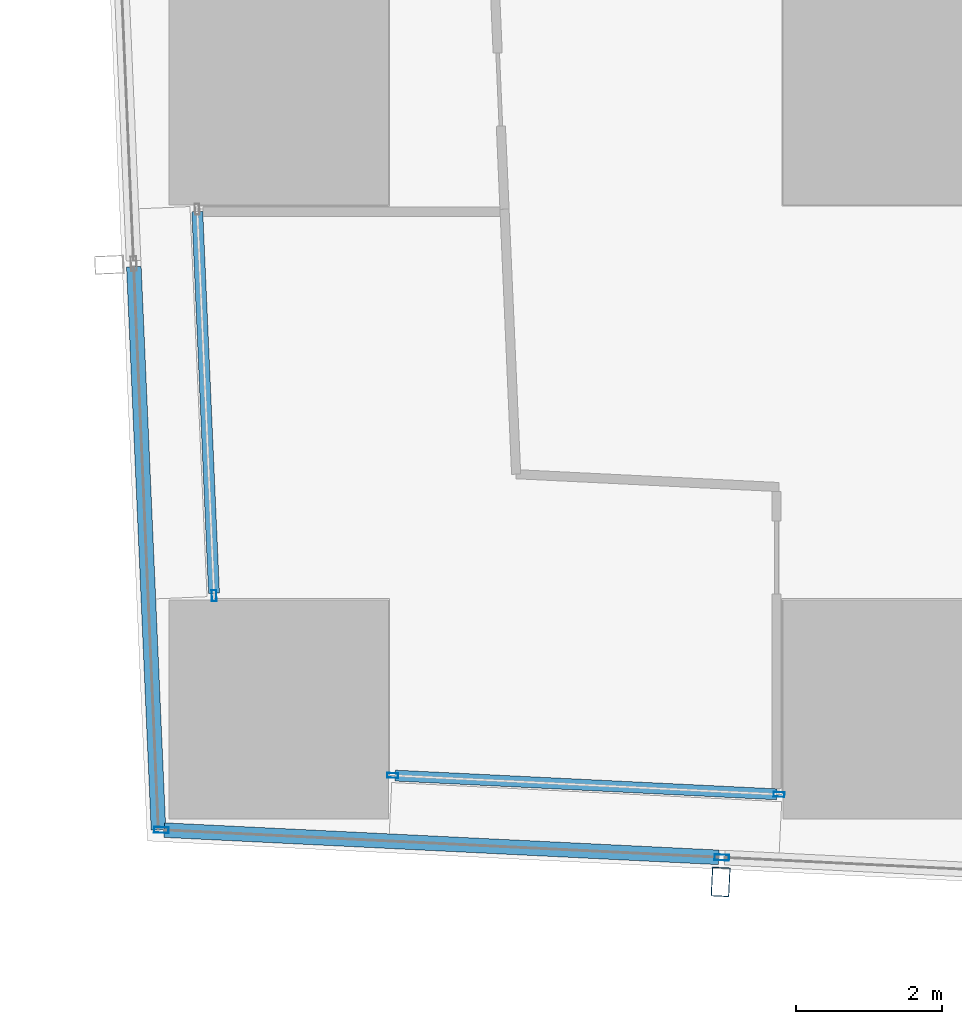
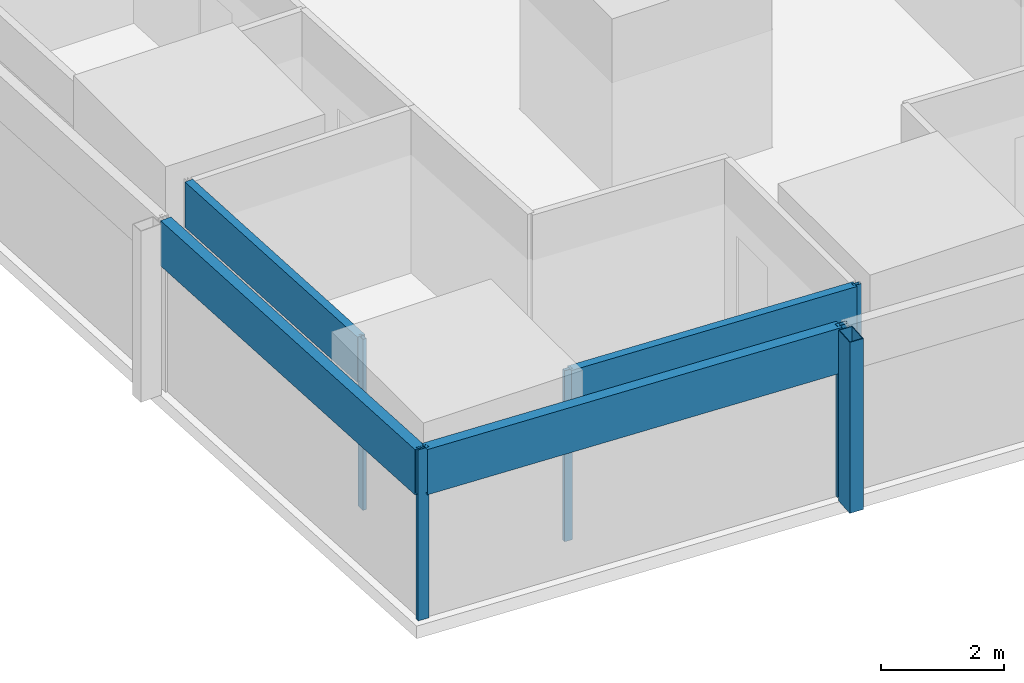
# One storey, part 2 of 44: 10 members, 4 elements without a shape of their own.
"""IFC4 building model written with IfcOpenShell, lengths in metres."""

from ifc_helpers import new_model, si_unit, direction, frame, origin, origin_2d, place, context, subcontext, project, spatial, hollow_rectangle, extrude, material, material_profile, profile_set, type_object, element, aggregate, save


model = new_model("IFC4")

# Units and contexts
model_context = context("Model", 3, precision=1e-05, world=origin(), true_north=direction((0.0, 1.0)))
body_context = subcontext(model_context, "Body", "Model", "MODEL_VIEW")
ifc_project = project(units=[si_unit("LENGTHUNIT", "METRE"), si_unit("AREAUNIT", "SQUARE_METRE"), si_unit("VOLUMEUNIT", "CUBIC_METRE"), si_unit("PLANEANGLEUNIT", "RADIAN"), si_unit("MASSUNIT", "GRAM", prefix="KILO")], contexts=[model_context])

# Site, building, storey
site_placement = place(None, origin())
site = spatial("IfcSite", under=ifc_project, at=site_placement, CompositionType="ELEMENT")
building_placement = place(site_placement, origin())
building = spatial("IfcBuilding", under=site, at=building_placement, Name="Rekha Terrace Tower", CompositionType="ELEMENT")
storey_placement = place(building_placement, frame((0.0, 0.0, 81.64990234375)))
storey = spatial("IfcBuildingStorey", under=building, at=storey_placement, Name="L20", CompositionType="ELEMENT", Elevation=81.64990234375)

# Curtain wall, member
ifc_material_1 = material(Name="Aluminium framing", Category="aluminium")
curtain_wall_type_1 = type_object("IfcCurtainWallType", Name="CW2 double skin outer glazing", PredefinedType="USERDEFINED", material=ifc_material_1)
curtain_wall_1_placement = place(storey_placement, origin())
curtain_wall_1 = element("IfcCurtainWall", 1, at=curtain_wall_1_placement, inside=storey, type_object=curtain_wall_type_1, Name="CW2 double skin outer glazing", ObjectType="DOUBLE SKIN OUTER GLAZING", PredefinedType="USERDEFINED")
ifc_material_2 = material(Name="Steel S355 with fluorocarbon finish", Category="steel")
ifc_material_profile_1 = material_profile(ifc_material_2, hollow_rectangle(XDim=0.25, YDim=0.39990234375, WallThickness=0.012451171875, at=origin_2d()), Name="RHS400x250x12.5")
ifc_profile_set_1 = profile_set([ifc_material_profile_1], Name="Steel S355 with fluorocarbon finish")
member_type_1 = type_object("IfcMemberType", Name="BL1 facade blade RHS 400 x 250", PredefinedType="USERDEFINED", material=ifc_profile_set_1)
member_1_placement = place(storey_placement, frame((14.443603515625, 6.03955078125, 0.0), z_axis=(0.0, 0.0, 1.0), x_axis=(0.998796226835, -0.049051985279, 0.0)))
member_1 = element("IfcMember", 2, at=member_1_placement, type_object=member_type_1, Name="Facade blade", ObjectType="FACADE BLADE", PredefinedType="USERDEFINED", context=body_context, shape_type="SweptSolid", body=[
    extrude(hollow_rectangle(XDim=0.25, YDim=0.39990234375, WallThickness=0.012451171875, at=origin_2d()), origin(), (0.0, 0.0, 1.0), 3.400146484375),
])

# Curtain wall, members
curtain_wall_type_2 = type_object("IfcCurtainWallType", Name="CW1 double skin inner glazing", PredefinedType="USERDEFINED", material=ifc_material_1)
curtain_wall_2_placement = place(storey_placement, origin())
curtain_wall_2 = element("IfcCurtainWall", 3, at=curtain_wall_2_placement, inside=storey, type_object=curtain_wall_type_2, Name="CW1 double skin inner glazing", ObjectType="DOUBLE SKIN INNER GLAZING", PredefinedType="USERDEFINED")
ifc_material_3 = material(Name="Aluminium mullion section", Category="aluminium")
ifc_material_profile_2 = material_profile(ifc_material_3, hollow_rectangle(XDim=0.06494140625, YDim=0.14990234375, WallThickness=0.00390625, at=origin_2d()), Name="AL RHS 65x150")
ifc_profile_set_2 = profile_set([ifc_material_profile_2], Name="Aluminium mullion section")
member_type_2 = type_object("IfcMemberType", Name="CW1 mullion RHS 65 x 150", PredefinedType="MULLION", material=ifc_profile_set_2)
member_2_placement = place(storey_placement, frame((9.95703125, 7.496337890625, 0.0), z_axis=(0.0, 0.0, 1.0), x_axis=(0.049051717746, 0.998796239974, 0.0)))
member_2 = element("IfcMember", 4, at=member_2_placement, type_object=member_type_2, Name="CW1 mullion 1", PredefinedType="MULLION", context=body_context, shape_type="SweptSolid", body=[
    extrude(hollow_rectangle(XDim=0.06494140625, YDim=0.14990234375, WallThickness=0.00390625, at=origin_2d()), origin(), (0.0, 0.0, 1.0), 3.400146484375),
])
member_3_placement = place(storey_placement, frame((15.242919921875, 7.23681640625, 0.0), z_axis=(0.0, 0.0, 1.0), x_axis=(0.049051717746, 0.998796239974, 0.0)))
member_3 = element("IfcMember", 5, at=member_3_placement, type_object=member_type_2, Name="CW1 mullion 2", PredefinedType="MULLION", context=body_context, shape_type="SweptSolid", body=[
    extrude(hollow_rectangle(XDim=0.06494140625, YDim=0.14990234375, WallThickness=0.00390625, at=origin_2d()), origin(), (0.0, 0.0, 1.0), 3.400146484375),
])

# Curtain wall, member
curtain_wall_3_placement = place(storey_placement, origin())
curtain_wall_3 = element("IfcCurtainWall", 6, at=curtain_wall_3_placement, inside=storey, type_object=curtain_wall_type_2, Name="CW1 double skin inner glazing", ObjectType="DOUBLE SKIN INNER GLAZING", PredefinedType="USERDEFINED")
member_4_placement = place(storey_placement, frame((7.51416015625, 9.95654296875, 0.0), z_axis=(0.0, 0.0, 1.0), x_axis=(0.999045462129, 0.043682543407, 0.0)))
member_4 = element("IfcMember", 7, at=member_4_placement, type_object=member_type_2, Name="CW1 mullion 2", PredefinedType="MULLION", context=body_context, shape_type="SweptSolid", body=[
    extrude(hollow_rectangle(XDim=0.06494140625, YDim=0.14990234375, WallThickness=0.00390625, at=origin_2d()), origin(), (0.0, 0.0, 1.0), 3.400146484375),
])

# Member
ifc_material_4 = material(Name="Insulated aluminium spandrel box", Category="aluminium")
ifc_material_profile_3 = material_profile(ifc_material_4, hollow_rectangle(XDim=0.14990234375, YDim=0.89990234375, WallThickness=0.0029296875, at=origin_2d()), Name="AL SPANDREL BOX 150x900")
ifc_profile_set_3 = profile_set([ifc_material_profile_3], Name="Insulated aluminium spandrel box")
member_type_3 = type_object("IfcMemberType", Name="CW1 spandrel transom 150 x 900", PredefinedType="USERDEFINED", material=ifc_profile_set_3)
member_5_placement = place(storey_placement, frame((9.989501953125, 7.494873046875, 2.9501953125), z_axis=(0.998796778139, -0.049040758337, 0.0), x_axis=(0.049040758337, 0.998796778139, 0.0)))
member_5 = element("IfcMember", 8, at=member_5_placement, type_object=member_type_3, Name="CW1 spandrel transom 1", ObjectType="TRANSOM", PredefinedType="USERDEFINED", context=body_context, shape_type="SweptSolid", body=[
    extrude(hollow_rectangle(XDim=0.14990234375, YDim=0.89990234375, WallThickness=0.0029296875, at=origin_2d()), origin(), (0.0, 0.0, 1.0), 5.227294921875),
])

aggregate(curtain_wall_2, [member_2, member_3, member_5])

member_6_placement = place(storey_placement, frame((7.284423828125, 15.2109375, 2.9501953125), z_axis=(0.043718970551, -0.999043868713, 0.0), x_axis=(0.999043868713, 0.043718970551, 0.0)))
member_6 = element("IfcMember", 9, at=member_6_placement, type_object=member_type_3, Name="CW1 spandrel transom 1", ObjectType="TRANSOM", PredefinedType="USERDEFINED", context=body_context, shape_type="SweptSolid", body=[
    extrude(hollow_rectangle(XDim=0.14990234375, YDim=0.89990234375, WallThickness=0.0029296875, at=origin_2d()), origin(), (0.0, 0.0, 1.0), 5.226806640625),
])

aggregate(curtain_wall_3, [member_4, member_6])

ifc_material_profile_4 = material_profile(ifc_material_3, hollow_rectangle(XDim=0.080078125, YDim=0.199951171875, WallThickness=0.00390625, at=origin_2d()), Name="AL RHS 80x200")
ifc_profile_set_4 = profile_set([ifc_material_profile_4], Name="Aluminium mullion section")
member_type_4 = type_object("IfcMemberType", Name="CW2 mullion RHS 80 x 200", PredefinedType="MULLION", material=ifc_profile_set_4)
member_7_placement = place(storey_placement, frame((6.79345703125, 6.750732421875, 0.0), z_axis=(0.0, 0.0, 1.0), x_axis=(0.049051717746, 0.998796239974, 0.0)))
member_7 = element("IfcMember", 10, at=member_7_placement, type_object=member_type_4, Name="CW2 mullion 1", PredefinedType="MULLION", context=body_context, shape_type="SweptSolid", body=[
    extrude(hollow_rectangle(XDim=0.080078125, YDim=0.199951171875, WallThickness=0.00390625, at=origin_2d()), origin(), (0.0, 0.0, 1.0), 3.400146484375),
])

member_8_placement = place(storey_placement, frame((14.4599609375, 6.374267578125, 0.0), z_axis=(0.0, 0.0, 1.0), x_axis=(0.049051717746, 0.998796239974, 0.0)))
member_8 = element("IfcMember", 11, at=member_8_placement, type_object=member_type_4, Name="CW2 mullion 2", PredefinedType="MULLION", context=body_context, shape_type="SweptSolid", body=[
    extrude(hollow_rectangle(XDim=0.080078125, YDim=0.199951171875, WallThickness=0.00390625, at=origin_2d()), origin(), (0.0, 0.0, 1.0), 3.400146484375),
])

ifc_material_profile_5 = material_profile(ifc_material_4, hollow_rectangle(XDim=0.199951171875, YDim=0.89990234375, WallThickness=0.0029296875, at=origin_2d()), Name="AL SPANDREL BOX 200x900")
ifc_profile_set_5 = profile_set([ifc_material_profile_5], Name="Insulated aluminium spandrel box")
member_type_5 = type_object("IfcMemberType", Name="CW2 spandrel transom 200 x 900", PredefinedType="USERDEFINED", material=ifc_profile_set_5)
member_9_placement = place(storey_placement, frame((6.83349609375, 6.748779296875, 2.9501953125), z_axis=(0.99879635036, -0.049049469996, 0.0), x_axis=(0.049049469996, 0.99879635036, 0.0)))
member_9 = element("IfcMember", 12, at=member_9_placement, type_object=member_type_5, Name="CW2 spandrel transom 1", ObjectType="TRANSOM", PredefinedType="USERDEFINED", context=body_context, shape_type="SweptSolid", body=[
    extrude(hollow_rectangle(XDim=0.199951171875, YDim=0.89990234375, WallThickness=0.0029296875, at=origin_2d()), origin(), (0.0, 0.0, 1.0), 7.595458984375),
])

aggregate(curtain_wall_1, [member_7, member_8, member_9, member_1])

# Curtain wall, member
curtain_wall_4_placement = place(storey_placement, origin())
curtain_wall_4 = element("IfcCurtainWall", 13, at=curtain_wall_4_placement, inside=storey, type_object=curtain_wall_type_1, Name="CW2 double skin outer glazing", ObjectType="DOUBLE SKIN OUTER GLAZING", PredefinedType="USERDEFINED")
member_10_placement = place(storey_placement, frame((6.41650390625, 14.45703125, 2.9501953125), z_axis=(0.043688638652, -0.999045195601, 0.0), x_axis=(0.999045195601, 0.043688638652, 0.0)))
member_10 = element("IfcMember", 14, at=member_10_placement, type_object=member_type_5, Name="CW2 spandrel transom 5", ObjectType="TRANSOM", PredefinedType="USERDEFINED", context=body_context, shape_type="SweptSolid", body=[
    extrude(hollow_rectangle(XDim=0.199951171875, YDim=0.89990234375, WallThickness=0.0029296875, at=origin_2d()), origin(), (0.0, 0.0, 1.0), 7.711669921875),
])
aggregate(curtain_wall_4, [member_10])

save(model, "model.ifc")
